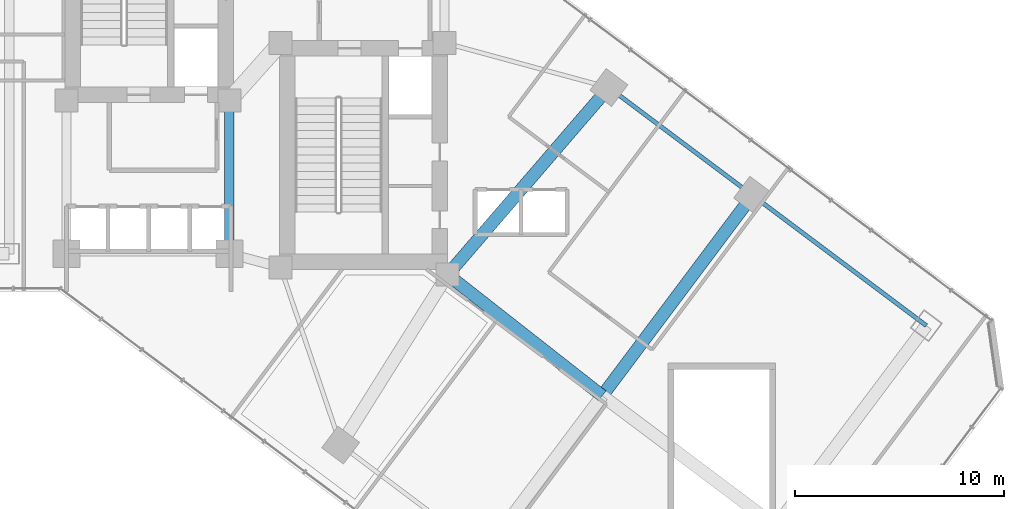
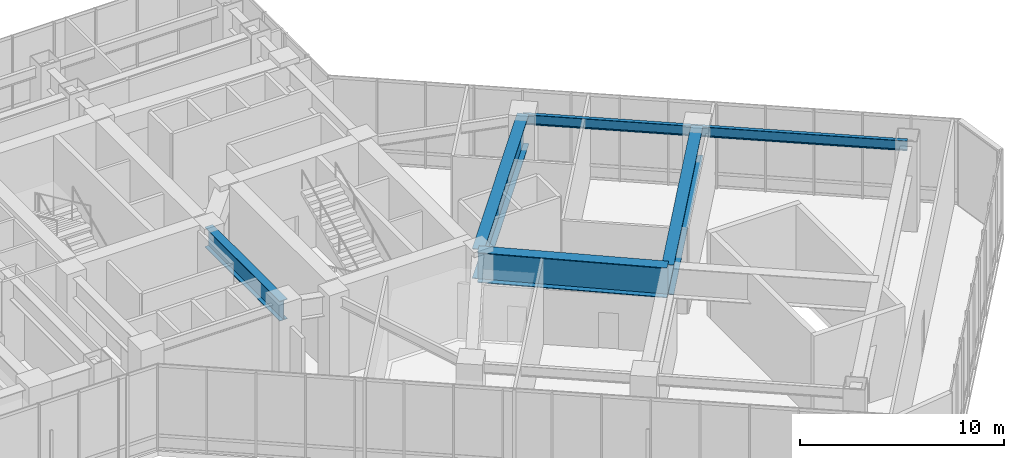
# One storey, part 13 of 38: 6 beams.
"""IFC4 building model written with IfcOpenShell, lengths in metres."""

from ifc_helpers import new_model, si_unit, direction, frame, origin, origin_2d, place, context, subcontext, project, spatial, i_section, extrude, material, material_profile, profile_set, type_object, element, save


model = new_model("IFC4")

# Units and contexts
model_context = context("Model", 3, precision=1e-05, world=origin(), true_north=direction((0.0, 1.0)))
body_context = subcontext(model_context, "Body", "Model", "MODEL_VIEW")
ifc_project = project(units=[si_unit("LENGTHUNIT", "METRE"), si_unit("AREAUNIT", "SQUARE_METRE"), si_unit("VOLUMEUNIT", "CUBIC_METRE"), si_unit("PLANEANGLEUNIT", "RADIAN"), si_unit("MASSUNIT", "GRAM", prefix="KILO")], contexts=[model_context])

# Site, building, storey
site_placement = place(None, origin())
site = spatial("IfcSite", under=ifc_project, at=site_placement, CompositionType="ELEMENT")
building_placement = place(site_placement, origin())
building = spatial("IfcBuilding", under=site, at=building_placement, Name="Hatsunagi Terrace Concourse", CompositionType="ELEMENT")
storey_placement = place(building_placement, frame((0.0, 0.0, 21.60009765625)))
storey = spatial("IfcBuildingStorey", under=building, at=storey_placement, Name="L05", CompositionType="ELEMENT", Elevation=21.60009765625)

# Beams
ifc_material_1 = material(Name="Steel SN490B", Category="steel")
ifc_material_profile_1 = material_profile(ifc_material_1, i_section(OverallWidth=0.199951171875, OverallDepth=0.60009765625, WebThickness=0.010986328125, FlangeThickness=0.01708984375, FilletRadius=0.01806640625, at=origin_2d()), Name="H-600x200x11x17")
ifc_profile_set_1 = profile_set([ifc_material_profile_1], Name="Steel SN490B")
beam_type_1 = type_object("IfcBeamType", Name="PerimeterSpandrel_H_600x200", PredefinedType="SPANDREL", material=ifc_profile_set_1)
beam_1_placement = place(storey_placement, frame((51.52001953125, 33.159912109375, 4.7998046875), z_axis=(0.8, -0.6, 0.0), x_axis=(0.6, 0.8, 0.0)))
element("IfcBeam", 1, at=beam_1_placement, inside=storey, type_object=beam_type_1, Name="Beam SP-01 BM-L05-SE-NE2", PredefinedType="SPANDREL", context=body_context, shape_type="SweptSolid", body=[
    extrude(i_section(OverallWidth=0.199951171875, OverallDepth=0.60009765625, WebThickness=0.010986328125, FlangeThickness=0.01708984375, FilletRadius=0.01806640625, at=origin_2d()), origin(), (0.0, 0.0, 1.0), 8.599853515625),
])
beam_2_placement = place(storey_placement, frame((58.39990234375, 28.0, 4.7998046875), z_axis=(0.800002816985, -0.599996244001, 0.0), x_axis=(0.599996244001, 0.800002816985, 0.0)))
element("IfcBeam", 2, at=beam_2_placement, inside=storey, type_object=beam_type_1, Name="Beam SP-01 BM-L05-SE-NE3", PredefinedType="SPANDREL", context=body_context, shape_type="SweptSolid", body=[
    extrude(i_section(OverallWidth=0.199951171875, OverallDepth=0.60009765625, WebThickness=0.010986328125, FlangeThickness=0.01708984375, FilletRadius=0.01806640625, at=origin_2d()), origin(), (0.0, 0.0, 1.0), 10.400146484375),
])
ifc_material_2 = material(Name="Steel SN490B", Category="steel")
ifc_material_profile_2 = material_profile(ifc_material_2, i_section(OverallWidth=0.449951171875, OverallDepth=1.199951171875, WebThickness=0.02490234375, FlangeThickness=0.035888671875, at=origin_2d()), Name="BH-1200x450x25x36")
ifc_profile_set_2 = profile_set([ifc_material_profile_2], Name="Steel SN490B")
beam_type_2 = type_object("IfcBeamType", Name="PodiumHallGirder_BH_1200x450x25x36", PredefinedType="BEAM", material=ifc_profile_set_2)
beam_3_placement = place(storey_placement, frame((33.35009765625, 25.199951171875, 4.5), z_axis=(0.0, 1.0, 0.0), x_axis=(-1.0, 0.0, 0.0)))
element("IfcBeam", 3, at=beam_3_placement, inside=storey, type_object=beam_type_2, Name="Beam G-01 BM-L05-K2CA", PredefinedType="BEAM", context=body_context, shape_type="SweptSolid", body=[
    extrude(i_section(OverallWidth=0.449951171875, OverallDepth=1.199951171875, WebThickness=0.02490234375, FlangeThickness=0.035888671875, at=origin_2d()), origin(), (0.0, 0.0, 1.0), 7.35009765625),
])
ifc_material_3 = material(Name="Steel SN490C", Category="steel")
ifc_material_profile_3 = material_profile(ifc_material_3, i_section(OverallWidth=0.60009765625, OverallDepth=1.800048828125, WebThickness=0.031982421875, FlangeThickness=0.0400390625, at=origin_2d()), Name="BH-1800x600x32x40")
ifc_profile_set_3 = profile_set([ifc_material_profile_3], Name="Steel SN490C")
beam_type_3 = type_object("IfcBeamType", Name="TransferGirder_BH_1800x600x32x40", PredefinedType="USERDEFINED", material=ifc_profile_set_3)
beam_4_placement = place(storey_placement, frame((43.800048828125, 24.199951171875, 4.199951171875), z_axis=(0.652739101421, 0.757582777969, 0.0), x_axis=(-0.757582777969, 0.652739101421, 0.0)))
element("IfcBeam", 4, at=beam_4_placement, inside=storey, type_object=beam_type_3, Name="Transfer girder TG-01 TG-L05-SE-1B", ObjectType="TRANSFER_GIRDER", PredefinedType="USERDEFINED", context=body_context, shape_type="SweptSolid", body=[
    extrude(i_section(OverallWidth=0.60009765625, OverallDepth=1.800048828125, WebThickness=0.031982421875, FlangeThickness=0.0400390625, at=origin_2d()), origin(), (0.0, 0.0, 1.0), 11.8271484375),
])
beam_5_placement = place(storey_placement, frame((43.800048828125, 24.199951171875, 4.199951171875), z_axis=(0.787049441068, -0.616889923175, 0.0), x_axis=(0.616889923175, 0.787049441068, 0.0)))
element("IfcBeam", 5, at=beam_5_placement, inside=storey, type_object=beam_type_3, Name="Transfer girder TG-01 BM-L05-SE-M2", ObjectType="TRANSFER_GIRDER", PredefinedType="USERDEFINED", context=body_context, shape_type="SweptSolid", body=[
    extrude(i_section(OverallWidth=0.60009765625, OverallDepth=1.800048828125, WebThickness=0.031982421875, FlangeThickness=0.0400390625, at=origin_2d()), origin(), (0.0, 0.0, 1.0), 9.402099609375),
])
beam_6_placement = place(storey_placement, frame((51.199951171875, 18.39990234375, 4.199951171875), z_axis=(0.59999348959, 0.800004882766, 0.0), x_axis=(-0.800004882766, 0.59999348959, 0.0)))
element("IfcBeam", 6, at=beam_6_placement, inside=storey, type_object=beam_type_3, Name="Transfer girder TG-01 TG-L05-SE-2B", ObjectType="TRANSFER_GIRDER", PredefinedType="USERDEFINED", context=body_context, shape_type="SweptSolid", body=[
    extrude(i_section(OverallWidth=0.60009765625, OverallDepth=1.800048828125, WebThickness=0.031982421875, FlangeThickness=0.0400390625, at=origin_2d()), origin(), (0.0, 0.0, 1.0), 12.0),
])

save(model, "model.ifc")
